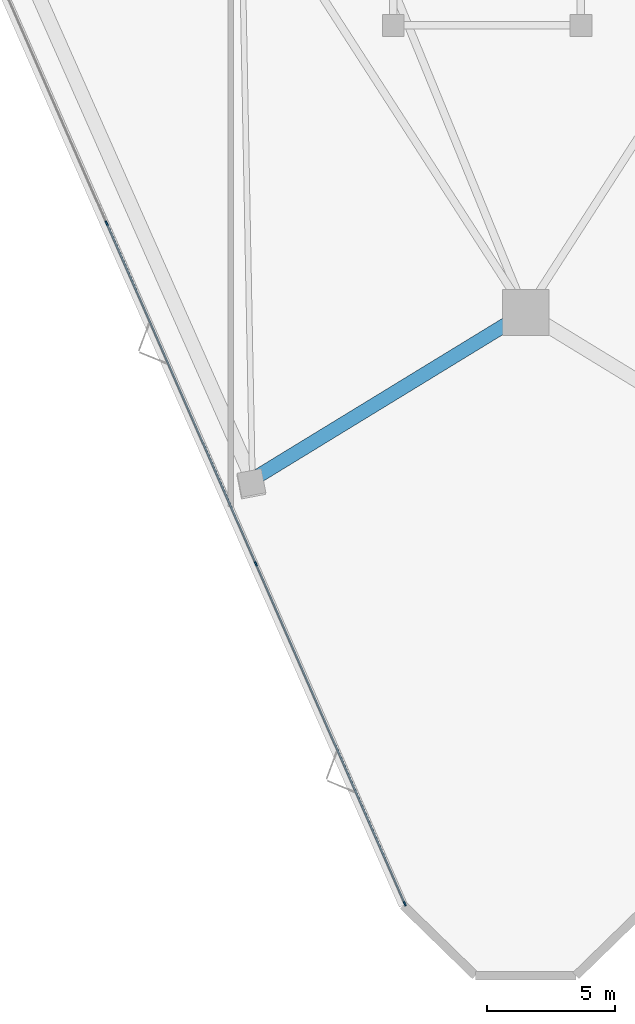
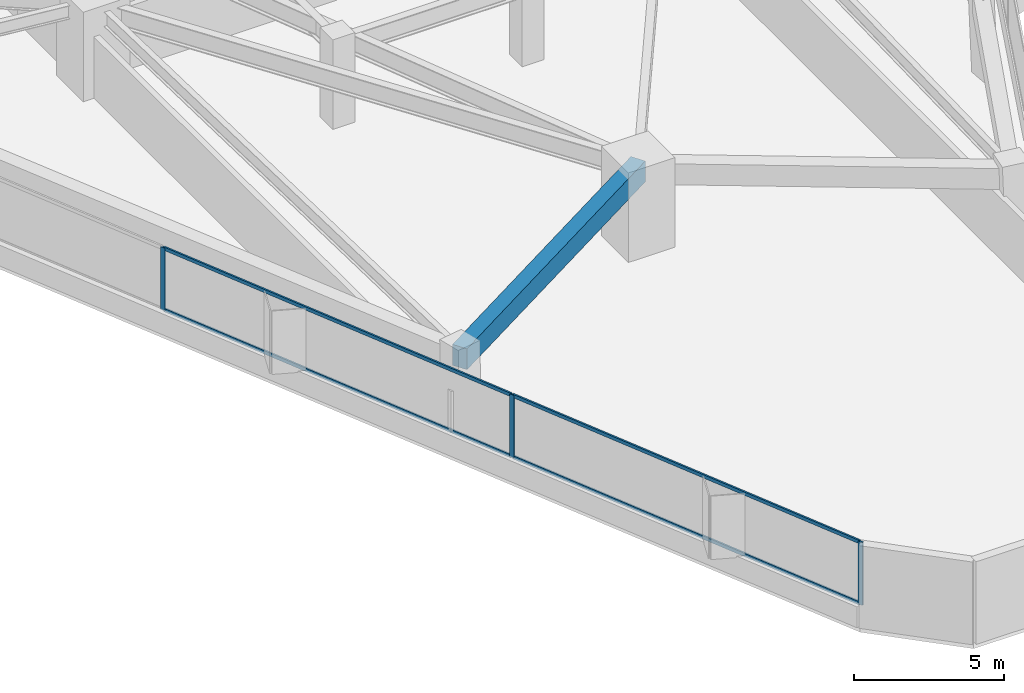
# One storey, part 2 of 20: 7 members, 1 beam, 1 element without a shape of its own.
"""IFC4 building model written with IfcOpenShell, lengths in metres."""

import ifcopenshell
import ifcopenshell.guid

model = None  # the IFC model being written
_history = None  # IfcOwnerHistory: only IFC2X3 demands one
_inside = {}  # id of a spatial element -> (the spatial element, [elements in it])
_under = {}  # id of a project, library or spatial element -> (it, [spatial elements below it])
_declared = {}  # id of a project -> (the project, [libraries it declares])
_typed = {}  # id of a type object -> (the type object, [elements of that type])
_made_of = {}  # id of a material, layer set ... -> (it, [elements and type objects made of it])


def new_model(schema):
    """Start an empty IFC model of exactly this schema.

    Asked for "IFC4X3", IfcOpenShell would pick the latest addendum, in which some entities
    have other attributes; the version numbers below select the first issue.
    IFC2X3 requires an IfcOwnerHistory on every rooted entity: one is made here for all.
    """
    global model, _history
    if schema == "IFC4X3":
        model = ifcopenshell.file(schema_version=(4, 3, 0, 0))
    else:
        model = ifcopenshell.file(schema=schema)
    _inside.clear()
    _under.clear()
    _declared.clear()
    _typed.clear()
    _made_of.clear()
    _history = None
    if model.schema == "IFC2X3":
        org = make("IfcOrganization", Name="unknown")
        user = make(
            "IfcPersonAndOrganization",
            ThePerson=make("IfcPerson", FamilyName="unknown"),
            TheOrganization=org,
        )
        app = make(
            "IfcApplication",
            ApplicationDeveloper=org,
            Version="unknown",
            ApplicationFullName="unknown",
            ApplicationIdentifier="unknown",
        )
        _history = make(
            "IfcOwnerHistory",
            OwningUser=user,
            OwningApplication=app,
            ChangeAction="ADDED",
            CreationDate=0,
        )
    return model


def make(cls, **values):
    """One entity of the class cls with the attributes given. An attribute that is None is left unset."""
    return model.create_entity(
        cls, **{name: value for name, value in values.items() if value is not None}
    )


def rooted(cls, **values):
    """An entity with a GlobalId (a new one), such as an element, a storey or a relation."""
    return make(cls, GlobalId=ifcopenshell.guid.new(), OwnerHistory=_history, **values)


def si_unit(unit_type, name, prefix=None):
    """IfcSIUnit, for example si_unit("LENGTHUNIT", "METRE", prefix="MILLI")."""
    return make("IfcSIUnit", UnitType=unit_type, Prefix=prefix, Name=name)


def assignment(units):
    """IfcUnitAssignment: the units of a project."""
    return None if units is None else make("IfcUnitAssignment", Units=units)


def point(xyz):
    """IfcCartesianPoint."""
    return None if xyz is None else make("IfcCartesianPoint", Coordinates=xyz)


def direction(xyz):
    """IfcDirection."""
    return None if xyz is None else make("IfcDirection", DirectionRatios=xyz)


def frame(location, z_axis=None, x_axis=None):
    """IfcAxis2Placement3D, a coordinate frame: its origin and axes. An axis left out is left unset."""
    return make(
        "IfcAxis2Placement3D",
        Location=point(location),
        Axis=direction(z_axis),
        RefDirection=direction(x_axis),
    )


def frame_2d(location, x_axis=None):
    """IfcAxis2Placement2D, a coordinate frame in the plane: its origin and x axis."""
    return make(
        "IfcAxis2Placement2D", Location=point(location), RefDirection=direction(x_axis)
    )


def origin():
    """The frame at (0, 0, 0) with its axes left unset."""
    return frame((0.0, 0.0, 0.0))


def origin_2d():
    """The frame at (0, 0) in the plane with its x axis left unset."""
    return frame_2d((0.0, 0.0))


def place(relative_to, where):
    """IfcLocalPlacement: puts the frame where relative to a parent placement (None: the world)."""
    return make(
        "IfcLocalPlacement", PlacementRelTo=relative_to, RelativePlacement=where
    )


def context(
    kind, dimensions, precision=None, world=None, true_north=None, identifier=None
):
    """IfcGeometricRepresentationContext, for example the 3D "Model" context."""
    return make(
        "IfcGeometricRepresentationContext",
        ContextIdentifier=identifier,
        ContextType=kind,
        CoordinateSpaceDimension=dimensions,
        Precision=precision,
        WorldCoordinateSystem=world,
        TrueNorth=true_north,
    )


def subcontext(parent, identifier, kind, view, scale=None):
    """IfcGeometricRepresentationSubContext, for example "Body" below "Model"."""
    return make(
        "IfcGeometricRepresentationSubContext",
        ContextIdentifier=identifier,
        ContextType=kind,
        ParentContext=parent,
        TargetScale=scale,
        TargetView=view,
    )


def project(units=None, contexts=None):
    """IfcProject with its units and contexts."""
    return rooted(
        "IfcProject",
        Name="project",
        RepresentationContexts=contexts,
        UnitsInContext=assignment(units),
    )


def spatial(cls, under=None, at=None, **own):
    """A site, building, storey or space (cls), placed at a placement, below another one or the project."""
    s = rooted(cls, ObjectPlacement=at, **own)
    if under is not None:
        _under.setdefault(under.id(), (under, []))[1].append(s)
    return s


def profile(cls, at=None, kind="AREA", **sizes):
    """A parametric profile (cls). Its sizes go by their IFC names, for example OverallWidth=200.0."""
    return make(cls, ProfileType=kind, Position=at, **sizes)


def rectangle(**sizes):
    """IfcRectangleProfileDef."""
    return profile("IfcRectangleProfileDef", **sizes)


def extrude(swept, where, along, depth):
    """IfcExtrudedAreaSolid: the profile swept, set in the frame where, extruded along a direction by depth."""
    return make(
        "IfcExtrudedAreaSolid",
        SweptArea=swept,
        Position=where,
        ExtrudedDirection=direction(along),
        Depth=depth,
    )


def shape(context_of_items, identifier, shape_type, items):
    """IfcShapeRepresentation: the items that make up one representation, for example the "Body"."""
    return make(
        "IfcShapeRepresentation",
        ContextOfItems=context_of_items,
        RepresentationIdentifier=identifier,
        RepresentationType=shape_type,
        Items=items,
    )


def material(Name=None, Category=None):
    """IfcMaterial."""
    return make("IfcMaterial", Name=Name, Category=Category)


def layer(
    of_material, thickness, ventilated=None, Name=None, Category=None, Priority=None
):
    """IfcMaterialLayer: one layer of a wall or slab, of a material (None: an air gap)."""
    return make(
        "IfcMaterialLayer",
        Material=of_material,
        LayerThickness=thickness,
        IsVentilated=ventilated,
        Name=Name,
        Category=Category,
        Priority=Priority,
    )


def layer_set(layers, Name=None):
    """IfcMaterialLayerSet."""
    return make("IfcMaterialLayerSet", MaterialLayers=layers, LayerSetName=Name)


def material_profile(
    of_material, cross_section, Name=None, Category=None, Priority=None
):
    """IfcMaterialProfile: a cross section and its material."""
    return make(
        "IfcMaterialProfile",
        Name=Name,
        Material=of_material,
        Profile=cross_section,
        Priority=Priority,
        Category=Category,
    )


def profile_set(profiles, Name=None, composite=None):
    """IfcMaterialProfileSet."""
    return make(
        "IfcMaterialProfileSet",
        Name=Name,
        MaterialProfiles=profiles,
        CompositeProfile=composite,
    )


def made_of(thing, what):
    """Note that an element or type object is made of a material, layer set ...; save() writes the relation."""
    if what is not None:
        _made_of.setdefault(what.id(), (what, []))[1].append(thing)
    return thing


def type_object(cls, material=None, **own):
    """A type object (cls), such as IfcWallType, which elements share."""
    return made_of(rooted(cls, **own), material)


def element(
    cls,
    number,
    at=None,
    inside=None,
    cuts=None,
    type_object=None,
    material=None,
    context=None,
    identifier="Body",
    shape_type=None,
    held_by="IfcProductDefinitionShape",
    body=None,
    shapes=None,
    **own,
):
    """One element of the class cls, such as IfcWall. Its Tag is "e" and its number.

    at: its placement. inside: the storey or other place that contains it. cuts: it is an
    opening in that element (IfcRelVoidsElement). A single representation is given by context,
    identifier, shape_type and body (its items); several are given by shapes. held_by: the class
    of the entity that holds the representations. save() writes the other relations.
    """
    e = rooted(cls, Tag="e%d" % number, ObjectPlacement=at, **own)
    if body is not None:
        shapes = [shape(context, identifier, shape_type, body)]
    if shapes is not None:
        e.Representation = make(held_by, Representations=shapes)
    if inside is not None:
        _inside.setdefault(inside.id(), (inside, []))[1].append(e)
    if cuts is not None:
        rooted(
            "IfcRelVoidsElement", RelatingBuildingElement=cuts, RelatedOpeningElement=e
        )
    if type_object is not None:
        _typed.setdefault(type_object.id(), (type_object, []))[1].append(e)
    return made_of(e, material)


def aggregate(whole, parts):
    """IfcRelAggregates: a whole, such as a stair, and the parts it consists of."""
    return rooted("IfcRelAggregates", RelatingObject=whole, RelatedObjects=parts)


def save(model, path):
    """Write the relations noted so far, then the file.

    IfcRelAggregates (storeys below a building ...), IfcRelContainedInSpatialStructure (elements
    in a storey), IfcRelDefinesByType, IfcRelAssociatesMaterial and IfcRelDeclares: one each for
    every whole, place, type object, material and project.
    """
    for whole, parts in _under.values():
        aggregate(whole, parts)
    for where, things in _inside.values():
        rooted(
            "IfcRelContainedInSpatialStructure",
            RelatedElements=things,
            RelatingStructure=where,
        )
    for kind, things in _typed.values():
        rooted("IfcRelDefinesByType", RelatedObjects=things, RelatingType=kind)
    for what, things in _made_of.values():
        rooted("IfcRelAssociatesMaterial", RelatedObjects=things, RelatingMaterial=what)
    for by, libraries in _declared.values():
        rooted("IfcRelDeclares", RelatingContext=by, RelatedDefinitions=libraries)
    model.write(path)


model = new_model("IFC4")

# Units and contexts
model_context = context("Model", 3, precision=1e-05, world=origin(), true_north=direction((0.0, 1.0)))
body_context = subcontext(model_context, "Body", "Model", "MODEL_VIEW")
ifc_project = project(units=[si_unit("LENGTHUNIT", "METRE"), si_unit("AREAUNIT", "SQUARE_METRE"), si_unit("VOLUMEUNIT", "CUBIC_METRE"), si_unit("PLANEANGLEUNIT", "RADIAN"), si_unit("MASSUNIT", "GRAM", prefix="KILO")], contexts=[model_context])

# Site, building, storey
site_placement = place(None, origin())
site = spatial("IfcSite", under=ifc_project, at=site_placement, CompositionType="ELEMENT")
building_placement = place(site_placement, origin())
building = spatial("IfcBuilding", under=site, at=building_placement, Name="Talyreon Biosciences Tower", CompositionType="ELEMENT")
storey_placement = place(building_placement, frame((0.0, 0.0, 37.39990234375)))
storey = spatial("IfcBuildingStorey", under=building, at=storey_placement, Name="L09", CompositionType="ELEMENT", Elevation=37.39990234375)

# Curtain wall, members
ifc_material_1 = material(Name="Thermally broken aluminium and low-E glazing", Category="aluminium")
ifc_layer = layer(ifc_material_1, 0.195068359375)
ifc_layer_set = layer_set([ifc_layer], Name="Thermally broken aluminium and low-E glazing")
curtain_wall_type = type_object("IfcCurtainWallType", Name="CurtainWall_Zone1WetLab", PredefinedType="NOTDEFINED", material=ifc_layer_set)
curtain_wall_placement = place(storey_placement, origin())
curtain_wall = element("IfcCurtainWall", 1, at=curtain_wall_placement, inside=storey, type_object=curtain_wall_type, Name="L09 Unitised Curtain Wall FCW-L09-00", PredefinedType="NOTDEFINED")
ifc_material_2 = material(Name="Anodised thermally broken aluminium", Category="aluminium")
ifc_material_profile_1 = material_profile(ifc_material_2, rectangle(XDim=0.06494140625, YDim=0.179931640625, at=origin_2d()), Name="ALUM MULLION 65x180")
ifc_profile_set_1 = profile_set([ifc_material_profile_1], Name="Anodised thermally broken aluminium")
member_type_1 = type_object("IfcMemberType", Name="CWMullion_65x180", PredefinedType="MULLION", material=ifc_profile_set_1)
member_1_placement = place(storey_placement, frame((61.297119140625, 18.651611328125, 0.81005859375), z_axis=(0.0, 0.0, 1.0), x_axis=(-0.915980408101, -0.401222995321, 0.0)))
member_1 = element("IfcMember", 2, at=member_1_placement, type_object=member_type_1, Name="CW2 mullion 1", PredefinedType="MULLION", context=body_context, shape_type="SweptSolid", body=[
    extrude(rectangle(XDim=0.06494140625, YDim=0.179931640625, at=origin_2d()), origin(), (0.0, 0.0, 1.0), 2.56494140625),
])
member_2_placement = place(storey_placement, frame((55.5009765625, 31.884033203125, 0.81005859375), z_axis=(0.0, 0.0, 1.0), x_axis=(-0.915980408101, -0.401222995321, 0.0)))
member_2 = element("IfcMember", 3, at=member_2_placement, type_object=member_type_1, Name="CW2 mullion 2", PredefinedType="MULLION", context=body_context, shape_type="SweptSolid", body=[
    extrude(rectangle(XDim=0.06494140625, YDim=0.179931640625, at=origin_2d()), origin(), (0.0, 0.0, 1.0), 2.56494140625),
])
member_3_placement = place(storey_placement, frame((49.691650390625, 45.146240234375, 0.81005859375), z_axis=(0.0, 0.0, 1.0), x_axis=(-0.915980408101, -0.401222995321, 0.0)))
member_3 = element("IfcMember", 4, at=member_3_placement, type_object=member_type_1, Name="CW2 mullion 3", PredefinedType="MULLION", context=body_context, shape_type="SweptSolid", body=[
    extrude(rectangle(XDim=0.06494140625, YDim=0.179931640625, at=origin_2d()), origin(), (0.0, 0.0, 1.0), 2.56494140625),
])
ifc_material_profile_2 = material_profile(ifc_material_2, rectangle(XDim=0.06494140625, YDim=0.139892578125, at=origin_2d()), Name="ALUM TRANSOM 65x140")
ifc_profile_set_2 = profile_set([ifc_material_profile_2], Name="Anodised thermally broken aluminium")
member_type_2 = type_object("IfcMemberType", Name="CWTransom_65x140", PredefinedType="USERDEFINED", material=ifc_profile_set_2)
member_4_placement = place(storey_placement, frame((61.2841796875, 18.681396484375, 0.842529296875), z_axis=(-0.401235575377, 0.91597489761, 0.0), x_axis=(-0.91597489761, -0.401235575377, 0.0)))
member_4 = element("IfcMember", 5, at=member_4_placement, type_object=member_type_2, Name="CW2 transom 1.1", ObjectType="TRANSOM", PredefinedType="USERDEFINED", context=body_context, shape_type="SweptSolid", body=[
    extrude(rectangle(XDim=0.06494140625, YDim=0.139892578125, at=origin_2d()), origin(), (0.0, 0.0, 1.0), 14.38134765625),
])
member_5_placement = place(storey_placement, frame((61.2841796875, 18.681396484375, 3.342529296875), z_axis=(-0.401235575377, 0.91597489761, 0.0), x_axis=(-0.91597489761, -0.401235575377, 0.0)))
member_5 = element("IfcMember", 6, at=member_5_placement, type_object=member_type_2, Name="CW2 transom 1.2", ObjectType="TRANSOM", PredefinedType="USERDEFINED", context=body_context, shape_type="SweptSolid", body=[
    extrude(rectangle(XDim=0.06494140625, YDim=0.139892578125, at=origin_2d()), origin(), (0.0, 0.0, 1.0), 14.38134765625),
])
member_6_placement = place(storey_placement, frame((55.488037109375, 31.913818359375, 0.842529296875), z_axis=(-0.401223081321, 0.915980370431, 0.0), x_axis=(-0.915980370431, -0.401223081321, 0.0)))
member_6 = element("IfcMember", 7, at=member_6_placement, type_object=member_type_2, Name="CW2 transom 2.1", ObjectType="TRANSOM", PredefinedType="USERDEFINED", context=body_context, shape_type="SweptSolid", body=[
    extrude(rectangle(XDim=0.06494140625, YDim=0.139892578125, at=origin_2d()), origin(), (0.0, 0.0, 1.0), 14.413818359375),
])
member_7_placement = place(storey_placement, frame((55.488037109375, 31.913818359375, 3.342529296875), z_axis=(-0.401223081321, 0.915980370431, 0.0), x_axis=(-0.915980370431, -0.401223081321, 0.0)))
member_7 = element("IfcMember", 8, at=member_7_placement, type_object=member_type_2, Name="CW2 transom 2.2", ObjectType="TRANSOM", PredefinedType="USERDEFINED", context=body_context, shape_type="SweptSolid", body=[
    extrude(rectangle(XDim=0.06494140625, YDim=0.139892578125, at=origin_2d()), origin(), (0.0, 0.0, 1.0), 14.413818359375),
])
aggregate(curtain_wall, [member_1, member_2, member_3, member_4, member_5, member_6, member_7])

# Beam
ifc_material_3 = material(Name="Precast concrete C45/55", Category="concrete")
ifc_material_profile_3 = material_profile(ifc_material_3, rectangle(XDim=0.550048828125, YDim=0.85009765625, at=origin_2d()), Name="RCB 550x850")
ifc_profile_set_3 = profile_set([ifc_material_profile_3], Name="Precast concrete C45/55")
beam_type = type_object("IfcBeamType", Name="ExpressedSpandrel_550x850", PredefinedType="SPANDREL", material=ifc_profile_set_3)
beam_placement = place(storey_placement, frame((55.3642578125, 35.164794921875, 2.9501953125), z_axis=(0.85318983809, 0.52160051781, 0.0), x_axis=(-0.52160051781, 0.85318983809, 0.0)))
element("IfcBeam", 9, at=beam_placement, inside=storey, type_object=beam_type, Name="L09 Expressed Horizontal Concrete Spandrel 12", PredefinedType="SPANDREL", context=body_context, shape_type="SweptSolid", body=[
    extrude(rectangle(XDim=0.550048828125, YDim=0.85009765625, at=origin_2d()), origin(), (0.0, 0.0, 1.0), 12.4658203125),
])

save(model, "model.ifc")
